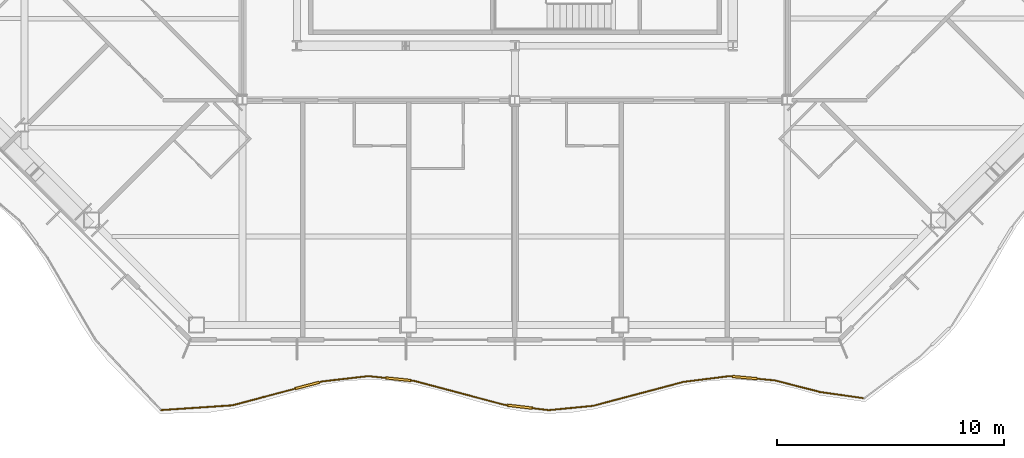
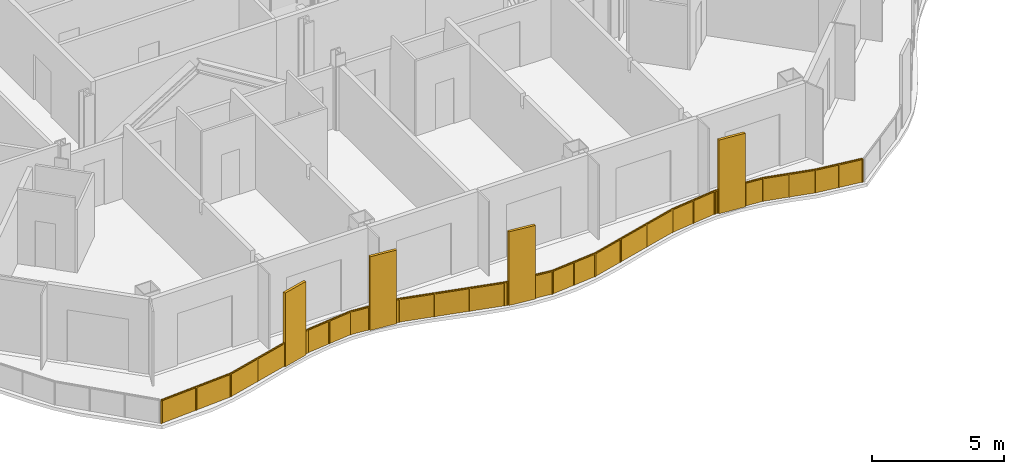
# One storey, part 16 of 21: 1 railing.
"""IFC4 building model written with IfcOpenShell, lengths in metres."""

import ifcopenshell
import ifcopenshell.guid

model = None  # the IFC model being written
_history = None  # IfcOwnerHistory: only IFC2X3 demands one
_inside = {}  # id of a spatial element -> (the spatial element, [elements in it])
_under = {}  # id of a project, library or spatial element -> (it, [spatial elements below it])
_declared = {}  # id of a project -> (the project, [libraries it declares])
_typed = {}  # id of a type object -> (the type object, [elements of that type])
_made_of = {}  # id of a material, layer set ... -> (it, [elements and type objects made of it])


def new_model(schema):
    """Start an empty IFC model of exactly this schema.

    Asked for "IFC4X3", IfcOpenShell would pick the latest addendum, in which some entities
    have other attributes; the version numbers below select the first issue.
    IFC2X3 requires an IfcOwnerHistory on every rooted entity: one is made here for all.
    """
    global model, _history
    if schema == "IFC4X3":
        model = ifcopenshell.file(schema_version=(4, 3, 0, 0))
    else:
        model = ifcopenshell.file(schema=schema)
    _inside.clear()
    _under.clear()
    _declared.clear()
    _typed.clear()
    _made_of.clear()
    _history = None
    if model.schema == "IFC2X3":
        org = make("IfcOrganization", Name="unknown")
        user = make(
            "IfcPersonAndOrganization",
            ThePerson=make("IfcPerson", FamilyName="unknown"),
            TheOrganization=org,
        )
        app = make(
            "IfcApplication",
            ApplicationDeveloper=org,
            Version="unknown",
            ApplicationFullName="unknown",
            ApplicationIdentifier="unknown",
        )
        _history = make(
            "IfcOwnerHistory",
            OwningUser=user,
            OwningApplication=app,
            ChangeAction="ADDED",
            CreationDate=0,
        )
    return model


def make(cls, **values):
    """One entity of the class cls with the attributes given. An attribute that is None is left unset."""
    return model.create_entity(
        cls, **{name: value for name, value in values.items() if value is not None}
    )


def rooted(cls, **values):
    """An entity with a GlobalId (a new one), such as an element, a storey or a relation."""
    return make(cls, GlobalId=ifcopenshell.guid.new(), OwnerHistory=_history, **values)


def si_unit(unit_type, name, prefix=None):
    """IfcSIUnit, for example si_unit("LENGTHUNIT", "METRE", prefix="MILLI")."""
    return make("IfcSIUnit", UnitType=unit_type, Prefix=prefix, Name=name)


def assignment(units):
    """IfcUnitAssignment: the units of a project."""
    return None if units is None else make("IfcUnitAssignment", Units=units)


def point(xyz):
    """IfcCartesianPoint."""
    return None if xyz is None else make("IfcCartesianPoint", Coordinates=xyz)


def direction(xyz):
    """IfcDirection."""
    return None if xyz is None else make("IfcDirection", DirectionRatios=xyz)


def frame(location, z_axis=None, x_axis=None):
    """IfcAxis2Placement3D, a coordinate frame: its origin and axes. An axis left out is left unset."""
    return make(
        "IfcAxis2Placement3D",
        Location=point(location),
        Axis=direction(z_axis),
        RefDirection=direction(x_axis),
    )


def frame_2d(location, x_axis=None):
    """IfcAxis2Placement2D, a coordinate frame in the plane: its origin and x axis."""
    return make(
        "IfcAxis2Placement2D", Location=point(location), RefDirection=direction(x_axis)
    )


def origin():
    """The frame at (0, 0, 0) with its axes left unset."""
    return frame((0.0, 0.0, 0.0))


def origin_2d():
    """The frame at (0, 0) in the plane with its x axis left unset."""
    return frame_2d((0.0, 0.0))


def place(relative_to, where):
    """IfcLocalPlacement: puts the frame where relative to a parent placement (None: the world)."""
    return make(
        "IfcLocalPlacement", PlacementRelTo=relative_to, RelativePlacement=where
    )


def context(
    kind, dimensions, precision=None, world=None, true_north=None, identifier=None
):
    """IfcGeometricRepresentationContext, for example the 3D "Model" context."""
    return make(
        "IfcGeometricRepresentationContext",
        ContextIdentifier=identifier,
        ContextType=kind,
        CoordinateSpaceDimension=dimensions,
        Precision=precision,
        WorldCoordinateSystem=world,
        TrueNorth=true_north,
    )


def subcontext(parent, identifier, kind, view, scale=None):
    """IfcGeometricRepresentationSubContext, for example "Body" below "Model"."""
    return make(
        "IfcGeometricRepresentationSubContext",
        ContextIdentifier=identifier,
        ContextType=kind,
        ParentContext=parent,
        TargetScale=scale,
        TargetView=view,
    )


def project(units=None, contexts=None):
    """IfcProject with its units and contexts."""
    return rooted(
        "IfcProject",
        Name="project",
        RepresentationContexts=contexts,
        UnitsInContext=assignment(units),
    )


def spatial(cls, under=None, at=None, **own):
    """A site, building, storey or space (cls), placed at a placement, below another one or the project."""
    s = rooted(cls, ObjectPlacement=at, **own)
    if under is not None:
        _under.setdefault(under.id(), (under, []))[1].append(s)
    return s


def polyline(points):
    """IfcPolyline through the points."""
    return make("IfcPolyline", Points=[point(p) for p in points])


def profile(cls, at=None, kind="AREA", **sizes):
    """A parametric profile (cls). Its sizes go by their IFC names, for example OverallWidth=200.0."""
    return make(cls, ProfileType=kind, Position=at, **sizes)


def rectangle(**sizes):
    """IfcRectangleProfileDef."""
    return profile("IfcRectangleProfileDef", **sizes)


def outline(outer, holes=None, kind="AREA"):
    """IfcArbitraryClosedProfileDef: a profile drawn as a closed curve; with holes, ...WithVoids."""
    if holes is None:
        return make("IfcArbitraryClosedProfileDef", ProfileType=kind, OuterCurve=outer)
    return make(
        "IfcArbitraryProfileDefWithVoids",
        ProfileType=kind,
        OuterCurve=outer,
        InnerCurves=holes,
    )


def extrude(swept, where, along, depth):
    """IfcExtrudedAreaSolid: the profile swept, set in the frame where, extruded along a direction by depth."""
    return make(
        "IfcExtrudedAreaSolid",
        SweptArea=swept,
        Position=where,
        ExtrudedDirection=direction(along),
        Depth=depth,
    )


def shape(context_of_items, identifier, shape_type, items):
    """IfcShapeRepresentation: the items that make up one representation, for example the "Body"."""
    return make(
        "IfcShapeRepresentation",
        ContextOfItems=context_of_items,
        RepresentationIdentifier=identifier,
        RepresentationType=shape_type,
        Items=items,
    )


def material(Name=None, Category=None):
    """IfcMaterial."""
    return make("IfcMaterial", Name=Name, Category=Category)


def made_of(thing, what):
    """Note that an element or type object is made of a material, layer set ...; save() writes the relation."""
    if what is not None:
        _made_of.setdefault(what.id(), (what, []))[1].append(thing)
    return thing


def type_object(cls, material=None, **own):
    """A type object (cls), such as IfcWallType, which elements share."""
    return made_of(rooted(cls, **own), material)


def element(
    cls,
    number,
    at=None,
    inside=None,
    cuts=None,
    type_object=None,
    material=None,
    context=None,
    identifier="Body",
    shape_type=None,
    held_by="IfcProductDefinitionShape",
    body=None,
    shapes=None,
    **own,
):
    """One element of the class cls, such as IfcWall. Its Tag is "e" and its number.

    at: its placement. inside: the storey or other place that contains it. cuts: it is an
    opening in that element (IfcRelVoidsElement). A single representation is given by context,
    identifier, shape_type and body (its items); several are given by shapes. held_by: the class
    of the entity that holds the representations. save() writes the other relations.
    """
    e = rooted(cls, Tag="e%d" % number, ObjectPlacement=at, **own)
    if body is not None:
        shapes = [shape(context, identifier, shape_type, body)]
    if shapes is not None:
        e.Representation = make(held_by, Representations=shapes)
    if inside is not None:
        _inside.setdefault(inside.id(), (inside, []))[1].append(e)
    if cuts is not None:
        rooted(
            "IfcRelVoidsElement", RelatingBuildingElement=cuts, RelatedOpeningElement=e
        )
    if type_object is not None:
        _typed.setdefault(type_object.id(), (type_object, []))[1].append(e)
    return made_of(e, material)


def aggregate(whole, parts):
    """IfcRelAggregates: a whole, such as a stair, and the parts it consists of."""
    return rooted("IfcRelAggregates", RelatingObject=whole, RelatedObjects=parts)


def save(model, path):
    """Write the relations noted so far, then the file.

    IfcRelAggregates (storeys below a building ...), IfcRelContainedInSpatialStructure (elements
    in a storey), IfcRelDefinesByType, IfcRelAssociatesMaterial and IfcRelDeclares: one each for
    every whole, place, type object, material and project.
    """
    for whole, parts in _under.values():
        aggregate(whole, parts)
    for where, things in _inside.values():
        rooted(
            "IfcRelContainedInSpatialStructure",
            RelatedElements=things,
            RelatingStructure=where,
        )
    for kind, things in _typed.values():
        rooted("IfcRelDefinesByType", RelatedObjects=things, RelatingType=kind)
    for what, things in _made_of.values():
        rooted("IfcRelAssociatesMaterial", RelatedObjects=things, RelatingMaterial=what)
    for by, libraries in _declared.values():
        rooted("IfcRelDeclares", RelatingContext=by, RelatedDefinitions=libraries)
    model.write(path)


model = new_model("IFC4")

# Units and contexts
model_context = context("Model", 3, precision=1e-05, world=origin(), true_north=direction((0.0, 1.0)))
body_context = subcontext(model_context, "Body", "Model", "MODEL_VIEW")
ifc_project = project(units=[si_unit("LENGTHUNIT", "METRE"), si_unit("AREAUNIT", "SQUARE_METRE"), si_unit("VOLUMEUNIT", "CUBIC_METRE"), si_unit("PLANEANGLEUNIT", "RADIAN"), si_unit("MASSUNIT", "GRAM", prefix="KILO")], contexts=[model_context])

# Site, building, storey
site_placement = place(None, origin())
site = spatial("IfcSite", under=ifc_project, at=site_placement, CompositionType="ELEMENT")
building_placement = place(site_placement, origin())
building = spatial("IfcBuilding", under=site, at=building_placement, Name="Cairn Pilgrim Tower", CompositionType="ELEMENT")
storey_placement = place(building_placement, frame((0.0, 0.0, 139.800048828125)))
storey = spatial("IfcBuildingStorey", under=building, at=storey_placement, Name="L34", CompositionType="ELEMENT", Elevation=139.800048828125)

# Railing
ifc_material = material(Name="Bronze anodised aluminium rail, posts and fin screens with laminated glass infill", Category="aluminium")
railing_type = type_object("IfcRailingType", Name="BALCONY GUARD WITH FIN SCREENS", PredefinedType="GUARDRAIL", material=ifc_material)
railing_placement = place(storey_placement, frame((-8.3818359375, -22.045654296875, 0.0)))
element("IfcRailing", 1, at=railing_placement, inside=storey, type_object=railing_type, Name="Balcony guard BGF-1 with fin screens", PredefinedType="GUARDRAIL", context=body_context, shape_type="SweptSolid", body=[
    extrude(rectangle(XDim=0.050048828125, YDim=0.050048828125, at=origin_2d()), frame((0.0, 0.0, 1.0751953125), z_axis=(0.997751083555, 0.067028167698, 0.0), x_axis=(-0.067028167698, 0.997751083555, 0.0)), (0.0, 0.0, 1.0), 3.150634765625),
    extrude(rectangle(XDim=1.10009765625, YDim=0.110107421875, at=origin_2d()), frame((6.435791015625, 1.08544921875, 0.0), z_axis=(0.0, 0.0, 1.0), x_axis=(0.966503793648, 0.256652326824, 0.0)), (0.0, 0.0, 1.0), 3.39990234375),
    extrude(rectangle(XDim=0.050048828125, YDim=0.050048828125, at=origin_2d()), frame((3.1435546875, 0.211181640625, 1.0751953125), z_axis=(0.966503793648, 0.256652326824, 0.0), x_axis=(-0.256652326824, 0.966503793648, 0.0)), (0.0, 0.0, 1.0), 2.8564453125),
    extrude(rectangle(XDim=0.050048828125, YDim=0.050048828125, at=origin_2d()), frame((6.96728515625, 1.2265625, 1.0751953125), z_axis=(0.966503793648, 0.256652326824, 0.0), x_axis=(-0.256652326824, 0.966503793648, 0.0)), (0.0, 0.0, 1.0), 0.150146484375),
    extrude(rectangle(XDim=0.050048828125, YDim=0.050048828125, at=origin_2d()), frame((7.112548828125, 1.26513671875, 1.0751953125), z_axis=(0.993470001104, 0.114093632191, 0.0), x_axis=(-0.114093632191, 0.993470001104, 0.0)), (0.0, 0.0, 1.0), 2.0263671875),
    extrude(rectangle(XDim=1.10009765625, YDim=0.110107421875, at=origin_2d()), frame((10.443603515625, 1.360107421875, 0.0), z_axis=(0.0, 0.0, 1.0), x_axis=(0.994697324396, -0.102845674874, 0.0)), (0.0, 0.0, 1.0), 3.39990234375),
    extrude(rectangle(XDim=0.050048828125, YDim=0.050048828125, at=origin_2d()), frame((9.125732421875, 1.496337890625, 1.0751953125), z_axis=(0.994697324396, -0.102845674874, 0.0), x_axis=(0.102845674874, 0.994697324396, 0.0)), (0.0, 0.0, 1.0), 0.77490234375),
    extrude(rectangle(XDim=0.050048828125, YDim=0.050048828125, at=origin_2d()), frame((10.99072265625, 1.303466796875, 1.0751953125), z_axis=(0.994697324396, -0.102845674874, 0.0), x_axis=(0.102845674874, 0.994697324396, 0.0)), (0.0, 0.0, 1.0), 0.14990234375),
    extrude(rectangle(XDim=0.050048828125, YDim=0.050048828125, at=origin_2d()), frame((11.139892578125, 1.2880859375, 1.0751953125), z_axis=(0.96653391674, -0.256538862148, 0.0), x_axis=(0.256538862148, 0.96653391674, 0.0)), (0.0, 0.0, 1.0), 4.111328125),
    extrude(rectangle(XDim=1.10009765625, YDim=0.110107421875, at=origin_2d()), frame((15.80859375, 0.149658203125, 0.0), z_axis=(0.0, 0.0, 1.0), x_axis=(0.992821718056, -0.119603662808, 0.0)), (0.0, 0.0, 1.0), 3.39990234375),
    extrude(rectangle(XDim=0.050048828125, YDim=0.050048828125, at=origin_2d()), frame((15.113525390625, 0.2333984375, 1.0751953125), z_axis=(0.992821718056, -0.119603662808, 0.0), x_axis=(0.119603662808, 0.992821718056, 0.0)), (0.0, 0.0, 1.0), 0.14990234375),
    extrude(rectangle(XDim=0.050048828125, YDim=0.050048828125, at=origin_2d()), frame((16.3544921875, 0.083984375, 1.0751953125), z_axis=(0.992821718056, -0.119603662808, 0.0), x_axis=(0.119603662808, 0.992821718056, 0.0)), (0.0, 0.0, 1.0), 0.723876953125),
    extrude(rectangle(XDim=0.050048828125, YDim=0.050048828125, at=origin_2d()), frame((17.0732421875, -0.002685546875, 1.0751953125), z_axis=(0.995278728764, 0.097057983027, 0.0), x_axis=(-0.097057983027, 0.995278728764, 0.0)), (0.0, 0.0, 1.0), 1.967041015625),
    extrude(rectangle(XDim=0.050048828125, YDim=0.050048828125, at=origin_2d()), frame((19.031005859375, 0.188232421875, 1.0751953125), z_axis=(0.96660093121, 0.256286245796, 0.0), x_axis=(-0.256286245796, 0.96660093121, 0.0)), (0.0, 0.0, 1.0), 4.107666015625),
    extrude(rectangle(XDim=0.050048828125, YDim=0.050048828125, at=origin_2d()), frame((23.00146484375, 1.240966796875, 1.0751953125), z_axis=(0.992132753517, 0.12519025281, 0.0), x_axis=(-0.12519025281, 0.992132753517, 0.0)), (0.0, 0.0, 1.0), 2.028076171875),
    extrude(rectangle(XDim=1.10009765625, YDim=0.110107421875, at=origin_2d()), frame((25.710693359375, 1.430908203125, 0.0), z_axis=(0.0, 0.0, 1.0), x_axis=(0.995828652228, -0.091243056731, 0.0)), (0.0, 0.0, 1.0), 3.39990234375),
    extrude(rectangle(XDim=0.050048828125, YDim=0.050048828125, at=origin_2d()), frame((25.013671875, 1.494873046875, 1.0751953125), z_axis=(0.995828652228, -0.091243056731, 0.0), x_axis=(0.091243056731, 0.995828652228, 0.0)), (0.0, 0.0, 1.0), 0.150146484375),
    extrude(rectangle(XDim=0.050048828125, YDim=0.050048828125, at=origin_2d()), frame((26.258544921875, 1.380859375, 1.0751953125), z_axis=(0.995828652228, -0.091243056731, 0.0), x_axis=(0.091243056731, 0.995828652228, 0.0)), (0.0, 0.0, 1.0), 0.772705078125),
    extrude(rectangle(XDim=0.050048828125, YDim=0.050048828125, at=origin_2d()), frame((27.028076171875, 1.310302734375, 1.0751953125), z_axis=(0.968635268519, -0.248486853941, 0.0), x_axis=(0.248486853941, 0.968635268519, 0.0)), (0.0, 0.0, 1.0), 2.054443359375),
    extrude(rectangle(XDim=0.050048828125, YDim=0.050048828125, at=origin_2d()), frame((29.01806640625, 0.7998046875, 1.0751953125), z_axis=(0.989952048215, -0.141403473209, 0.0), x_axis=(0.141403473209, 0.989952048215, 0.0)), (0.0, 0.0, 1.0), 1.911376953125),
    extrude(rectangle(XDim=0.050048828125, YDim=0.050048828125, at=origin_2d()), origin(), (0.0, 0.0, 1.0), 1.050048828125),
    extrude(rectangle(XDim=0.050048828125, YDim=0.050048828125, at=origin_2d()), frame((1.57177734375, 0.10546875, 0.0)), (0.0, 0.0, 1.0), 1.050048828125),
    extrude(rectangle(XDim=0.050048828125, YDim=0.050048828125, at=origin_2d()), frame((3.1435546875, 0.211181640625, 0.0)), (0.0, 0.0, 1.0), 1.050048828125),
    extrude(rectangle(XDim=0.050048828125, YDim=0.050048828125, at=origin_2d()), frame((4.51171875, 0.574462890625, 0.0)), (0.0, 0.0, 1.0), 1.050048828125),
    extrude(rectangle(XDim=0.050048828125, YDim=0.050048828125, at=origin_2d()), frame((5.880126953125, 0.937744140625, 0.0)), (0.0, 0.0, 1.0), 1.050048828125),
    extrude(rectangle(XDim=0.050048828125, YDim=0.050048828125, at=origin_2d()), frame((6.99169921875, 1.23291015625, 0.0)), (0.0, 0.0, 1.0), 1.050048828125),
    extrude(rectangle(XDim=0.050048828125, YDim=0.050048828125, at=origin_2d()), frame((7.112548828125, 1.26513671875, 0.0)), (0.0, 0.0, 1.0), 1.050048828125),
    extrude(rectangle(XDim=0.050048828125, YDim=0.050048828125, at=origin_2d()), frame((8.119140625, 1.380859375, 0.0)), (0.0, 0.0, 1.0), 1.050048828125),
    extrude(rectangle(XDim=0.050048828125, YDim=0.050048828125, at=origin_2d()), frame((9.125732421875, 1.496337890625, 0.0)), (0.0, 0.0, 1.0), 1.050048828125),
    extrude(rectangle(XDim=0.050048828125, YDim=0.050048828125, at=origin_2d()), frame((9.87158203125, 1.419189453125, 0.0)), (0.0, 0.0, 1.0), 1.050048828125),
    extrude(rectangle(XDim=0.050048828125, YDim=0.050048828125, at=origin_2d()), frame((11.015625, 1.301025390625, 0.0)), (0.0, 0.0, 1.0), 1.050048828125),
    extrude(rectangle(XDim=0.050048828125, YDim=0.050048828125, at=origin_2d()), frame((11.139892578125, 1.2880859375, 0.0)), (0.0, 0.0, 1.0), 1.050048828125),
    extrude(rectangle(XDim=0.050048828125, YDim=0.050048828125, at=origin_2d()), frame((12.46435546875, 0.9365234375, 0.0)), (0.0, 0.0, 1.0), 1.050048828125),
    extrude(rectangle(XDim=0.050048828125, YDim=0.050048828125, at=origin_2d()), frame((13.7890625, 0.5849609375, 0.0)), (0.0, 0.0, 1.0), 1.050048828125),
    extrude(rectangle(XDim=0.050048828125, YDim=0.050048828125, at=origin_2d()), frame((15.113525390625, 0.2333984375, 0.0)), (0.0, 0.0, 1.0), 1.050048828125),
    extrude(rectangle(XDim=0.050048828125, YDim=0.050048828125, at=origin_2d()), frame((15.237548828125, 0.218505859375, 0.0)), (0.0, 0.0, 1.0), 1.050048828125),
    extrude(rectangle(XDim=0.050048828125, YDim=0.050048828125, at=origin_2d()), frame((16.37939453125, 0.080810546875, 0.0)), (0.0, 0.0, 1.0), 1.050048828125),
    extrude(rectangle(XDim=0.050048828125, YDim=0.050048828125, at=origin_2d()), frame((17.0732421875, -0.002685546875, 0.0)), (0.0, 0.0, 1.0), 1.050048828125),
    extrude(rectangle(XDim=0.050048828125, YDim=0.050048828125, at=origin_2d()), frame((18.05224609375, 0.0927734375, 0.0)), (0.0, 0.0, 1.0), 1.050048828125),
    extrude(rectangle(XDim=0.050048828125, YDim=0.050048828125, at=origin_2d()), frame((19.031005859375, 0.188232421875, 0.0)), (0.0, 0.0, 1.0), 1.050048828125),
    extrude(rectangle(XDim=0.050048828125, YDim=0.050048828125, at=origin_2d()), frame((20.3544921875, 0.5390625, 0.0)), (0.0, 0.0, 1.0), 1.050048828125),
    extrude(rectangle(XDim=0.050048828125, YDim=0.050048828125, at=origin_2d()), frame((21.677978515625, 0.89013671875, 0.0)), (0.0, 0.0, 1.0), 1.050048828125),
    extrude(rectangle(XDim=0.050048828125, YDim=0.050048828125, at=origin_2d()), frame((23.00146484375, 1.240966796875, 0.0)), (0.0, 0.0, 1.0), 1.050048828125),
    extrude(rectangle(XDim=0.050048828125, YDim=0.050048828125, at=origin_2d()), frame((24.007568359375, 1.367919921875, 0.0)), (0.0, 0.0, 1.0), 1.050048828125),
    extrude(rectangle(XDim=0.050048828125, YDim=0.050048828125, at=origin_2d()), frame((25.013671875, 1.494873046875, 0.0)), (0.0, 0.0, 1.0), 1.050048828125),
    extrude(rectangle(XDim=0.050048828125, YDim=0.050048828125, at=origin_2d()), frame((25.13818359375, 1.4833984375, 0.0)), (0.0, 0.0, 1.0), 1.050048828125),
    extrude(rectangle(XDim=0.050048828125, YDim=0.050048828125, at=origin_2d()), frame((26.283447265625, 1.37841796875, 0.0)), (0.0, 0.0, 1.0), 1.050048828125),
    extrude(rectangle(XDim=0.050048828125, YDim=0.050048828125, at=origin_2d()), frame((27.028076171875, 1.310302734375, 0.0)), (0.0, 0.0, 1.0), 1.050048828125),
    extrude(rectangle(XDim=0.050048828125, YDim=0.050048828125, at=origin_2d()), frame((28.02294921875, 1.05517578125, 0.0)), (0.0, 0.0, 1.0), 1.050048828125),
    extrude(rectangle(XDim=0.050048828125, YDim=0.050048828125, at=origin_2d()), frame((29.01806640625, 0.7998046875, 0.0)), (0.0, 0.0, 1.0), 1.050048828125),
    extrude(rectangle(XDim=0.050048828125, YDim=0.050048828125, at=origin_2d()), frame((29.964111328125, 0.66455078125, 0.0)), (0.0, 0.0, 1.0), 1.050048828125),
    extrude(rectangle(XDim=0.050048828125, YDim=0.050048828125, at=origin_2d()), frame((30.91015625, 0.529541015625, 0.0)), (0.0, 0.0, 1.0), 1.050048828125),
    extrude(outline(polyline([(0.02490234375, 0.0), (1.55029296875, 0.0), (1.55029296875, 1.050048828125), (0.02490234375, 1.050048828125), (0.02490234375, 0.0)])), frame((-0.00048828125, 0.005859375, 0.0), z_axis=(0.067028167698, -0.997751083555, 0.0), x_axis=(0.997751083555, 0.067028167698, 0.0)), (0.0, 0.0, 1.0), 0.011962890625),
    extrude(outline(polyline([(0.02490234375, 0.0), (1.55029296875, 0.0), (1.55029296875, 1.050048828125), (0.02490234375, 1.050048828125), (0.02490234375, 0.0)])), frame((1.5712890625, 0.111572265625, 0.0), z_axis=(0.067028167698, -0.997751083555, 0.0), x_axis=(0.997751083555, 0.067028167698, 0.0)), (0.0, 0.0, 1.0), 0.011962890625),
    extrude(outline(polyline([(0.02490234375, 0.0), (1.390625, 0.0), (1.390625, 1.050048828125), (0.02490234375, 1.050048828125), (0.02490234375, 0.0)])), frame((3.14208984375, 0.217041015625, 0.0), z_axis=(0.256652326824, -0.966503793648, 0.0), x_axis=(0.966503793648, 0.256652326824, 0.0)), (0.0, 0.0, 1.0), 0.011962890625),
    extrude(outline(polyline([(0.02490234375, 0.0), (1.390625, 0.0), (1.390625, 1.050048828125), (0.02490234375, 1.050048828125), (0.02490234375, 0.0)])), frame((4.51025390625, 0.580322265625, 0.0), z_axis=(0.256652326824, -0.966503793648, 0.0), x_axis=(0.966503793648, 0.256652326824, 0.0)), (0.0, 0.0, 1.0), 0.011962890625),
    extrude(outline(polyline([(0.02490234375, 0.0), (0.10009765625, 0.0), (0.10009765625, 1.050048828125), (0.02490234375, 1.050048828125), (0.02490234375, 0.0)])), frame((6.989990234375, 1.23876953125, 0.0), z_axis=(0.256652326824, -0.966503793648, 0.0), x_axis=(0.966503793648, 0.256652326824, 0.0)), (0.0, 0.0, 1.0), 0.011962890625),
    extrude(outline(polyline([(0.02490234375, 0.0), (0.98828125, 0.0), (0.98828125, 1.050048828125), (0.02490234375, 1.050048828125), (0.02490234375, 0.0)])), frame((7.11181640625, 1.27099609375, 0.0), z_axis=(0.114093632191, -0.993470001104, 0.0), x_axis=(0.993470001104, 0.114093632191, 0.0)), (0.0, 0.0, 1.0), 0.011962890625),
    extrude(outline(polyline([(0.02490234375, 0.0), (0.98828125, 0.0), (0.98828125, 1.050048828125), (0.02490234375, 1.050048828125), (0.02490234375, 0.0)])), frame((8.118408203125, 1.38671875, 0.0), z_axis=(0.114093632191, -0.993470001104, 0.0), x_axis=(0.993470001104, 0.114093632191, 0.0)), (0.0, 0.0, 1.0), 0.011962890625),
    extrude(outline(polyline([(0.02490234375, 0.0), (0.724853515625, 0.0), (0.724853515625, 1.050048828125), (0.02490234375, 1.050048828125), (0.02490234375, 0.0)])), frame((9.12646484375, 1.502197265625, 0.0), z_axis=(-0.102845674874, -0.994697324396, 0.0), x_axis=(0.994697324396, -0.102845674874, 0.0)), (0.0, 0.0, 1.0), 0.011962890625),
    extrude(outline(polyline([(0.02490234375, 0.0), (0.099853515625, 0.0), (0.099853515625, 1.050048828125), (0.02490234375, 1.050048828125), (0.02490234375, 0.0)])), frame((11.01611328125, 1.306884765625, 0.0), z_axis=(-0.102845674874, -0.994697324396, 0.0), x_axis=(0.994697324396, -0.102845674874, 0.0)), (0.0, 0.0, 1.0), 0.011962890625),
    extrude(outline(polyline([(0.02490234375, 0.0), (1.345458984375, 0.0), (1.345458984375, 1.050048828125), (0.02490234375, 1.050048828125), (0.02490234375, 0.0)])), frame((11.141357421875, 1.2939453125, 0.0), z_axis=(-0.256538862148, -0.96653391674, 0.0), x_axis=(0.96653391674, -0.256538862148, 0.0)), (0.0, 0.0, 1.0), 0.011962890625),
    extrude(outline(polyline([(0.02490234375, 0.0), (1.345458984375, 0.0), (1.345458984375, 1.050048828125), (0.02490234375, 1.050048828125), (0.02490234375, 0.0)])), frame((12.466064453125, 0.9423828125, 0.0), z_axis=(-0.256538862148, -0.96653391674, 0.0), x_axis=(0.96653391674, -0.256538862148, 0.0)), (0.0, 0.0, 1.0), 0.011962890625),
    extrude(outline(polyline([(0.02490234375, 0.0), (1.345458984375, 0.0), (1.345458984375, 1.050048828125), (0.02490234375, 1.050048828125), (0.02490234375, 0.0)])), frame((13.79052734375, 0.5908203125, 0.0), z_axis=(-0.256538862148, -0.96653391674, 0.0), x_axis=(0.96653391674, -0.256538862148, 0.0)), (0.0, 0.0, 1.0), 0.011962890625),
    extrude(outline(polyline([(0.02490234375, 0.0), (0.099853515625, 0.0), (0.099853515625, 1.050048828125), (0.02490234375, 1.050048828125), (0.02490234375, 0.0)])), frame((15.1142578125, 0.2392578125, 0.0), z_axis=(-0.119603662808, -0.992821718056, 0.0), x_axis=(0.992821718056, -0.119603662808, 0.0)), (0.0, 0.0, 1.0), 0.011962890625),
    extrude(outline(polyline([(0.02490234375, 0.0), (0.673828125, 0.0), (0.673828125, 1.050048828125), (0.02490234375, 1.050048828125), (0.02490234375, 0.0)])), frame((16.380126953125, 0.0869140625, 0.0), z_axis=(-0.119603662808, -0.992821718056, 0.0), x_axis=(0.992821718056, -0.119603662808, 0.0)), (0.0, 0.0, 1.0), 0.011962890625),
    extrude(outline(polyline([(0.02490234375, 0.0), (0.95849609375, 0.0), (0.95849609375, 1.050048828125), (0.02490234375, 1.050048828125), (0.02490234375, 0.0)])), frame((17.07275390625, 0.003173828125, 0.0), z_axis=(0.097057983027, -0.995278728764, 0.0), x_axis=(0.995278728764, 0.097057983027, 0.0)), (0.0, 0.0, 1.0), 0.011962890625),
    extrude(outline(polyline([(0.02490234375, 0.0), (0.95849609375, 0.0), (0.95849609375, 1.050048828125), (0.02490234375, 1.050048828125), (0.02490234375, 0.0)])), frame((18.051513671875, 0.0986328125, 0.0), z_axis=(0.097057983027, -0.995278728764, 0.0), x_axis=(0.995278728764, 0.097057983027, 0.0)), (0.0, 0.0, 1.0), 0.011962890625),
    extrude(outline(polyline([(0.02490234375, 0.0), (1.34423828125, 0.0), (1.34423828125, 1.050048828125), (0.02490234375, 1.050048828125), (0.02490234375, 0.0)])), frame((19.029541015625, 0.194091796875, 0.0), z_axis=(0.256286245796, -0.96660093121, 0.0), x_axis=(0.96660093121, 0.256286245796, 0.0)), (0.0, 0.0, 1.0), 0.011962890625),
    extrude(outline(polyline([(0.02490234375, 0.0), (1.34423828125, 0.0), (1.34423828125, 1.050048828125), (0.02490234375, 1.050048828125), (0.02490234375, 0.0)])), frame((20.35302734375, 0.544921875, 0.0), z_axis=(0.256286245796, -0.96660093121, 0.0), x_axis=(0.96660093121, 0.256286245796, 0.0)), (0.0, 0.0, 1.0), 0.011962890625),
    extrude(outline(polyline([(0.02490234375, 0.0), (1.34423828125, 0.0), (1.34423828125, 1.050048828125), (0.02490234375, 1.050048828125), (0.02490234375, 0.0)])), frame((21.676513671875, 0.895751953125, 0.0), z_axis=(0.256286245796, -0.96660093121, 0.0), x_axis=(0.96660093121, 0.256286245796, 0.0)), (0.0, 0.0, 1.0), 0.011962890625),
    extrude(outline(polyline([(0.02490234375, 0.0), (0.989013671875, 0.0), (0.989013671875, 1.050048828125), (0.02490234375, 1.050048828125), (0.02490234375, 0.0)])), frame((23.000732421875, 1.246826171875, 0.0), z_axis=(0.12519025281, -0.992132753517, 0.0), x_axis=(0.992132753517, 0.12519025281, 0.0)), (0.0, 0.0, 1.0), 0.011962890625),
    extrude(outline(polyline([(0.02490234375, 0.0), (0.989013671875, 0.0), (0.989013671875, 1.050048828125), (0.02490234375, 1.050048828125), (0.02490234375, 0.0)])), frame((24.0068359375, 1.373779296875, 0.0), z_axis=(0.12519025281, -0.992132753517, 0.0), x_axis=(0.992132753517, 0.12519025281, 0.0)), (0.0, 0.0, 1.0), 0.011962890625),
    extrude(outline(polyline([(0.02490234375, 0.0), (0.10009765625, 0.0), (0.10009765625, 1.050048828125), (0.02490234375, 1.050048828125), (0.02490234375, 0.0)])), frame((25.01416015625, 1.500732421875, 0.0), z_axis=(-0.091243056731, -0.995828652228, 0.0), x_axis=(0.995828652228, -0.091243056731, 0.0)), (0.0, 0.0, 1.0), 0.011962890625),
    extrude(outline(polyline([(0.02490234375, 0.0), (0.72265625, 0.0), (0.72265625, 1.050048828125), (0.02490234375, 1.050048828125), (0.02490234375, 0.0)])), frame((26.283935546875, 1.384521484375, 0.0), z_axis=(-0.091243056731, -0.995828652228, 0.0), x_axis=(0.995828652228, -0.091243056731, 0.0)), (0.0, 0.0, 1.0), 0.011962890625),
    extrude(outline(polyline([(0.02490234375, 0.0), (1.002197265625, 0.0), (1.002197265625, 1.050048828125), (0.02490234375, 1.050048828125), (0.02490234375, 0.0)])), frame((27.029541015625, 1.316162109375, 0.0), z_axis=(-0.248486853941, -0.968635268519, 0.0), x_axis=(0.968635268519, -0.248486853941, 0.0)), (0.0, 0.0, 1.0), 0.011962890625),
    extrude(outline(polyline([(0.02490234375, 0.0), (1.002197265625, 0.0), (1.002197265625, 1.050048828125), (0.02490234375, 1.050048828125), (0.02490234375, 0.0)])), frame((28.024658203125, 1.060791015625, 0.0), z_axis=(-0.248486853941, -0.968635268519, 0.0), x_axis=(0.968635268519, -0.248486853941, 0.0)), (0.0, 0.0, 1.0), 0.011962890625),
    extrude(outline(polyline([(0.02490234375, 0.0), (0.9306640625, 0.0), (0.9306640625, 1.050048828125), (0.02490234375, 1.050048828125), (0.02490234375, 0.0)])), frame((29.018798828125, 0.8056640625, 0.0), z_axis=(-0.141403473209, -0.989952048215, 0.0), x_axis=(0.989952048215, -0.141403473209, 0.0)), (0.0, 0.0, 1.0), 0.011962890625),
    extrude(outline(polyline([(0.02490234375, 0.0), (0.9306640625, 0.0), (0.9306640625, 1.050048828125), (0.02490234375, 1.050048828125), (0.02490234375, 0.0)])), frame((29.96484375, 0.670654296875, 0.0), z_axis=(-0.141403473209, -0.989952048215, 0.0), x_axis=(0.989952048215, -0.141403473209, 0.0)), (0.0, 0.0, 1.0), 0.011962890625),
])

save(model, "model.ifc")
